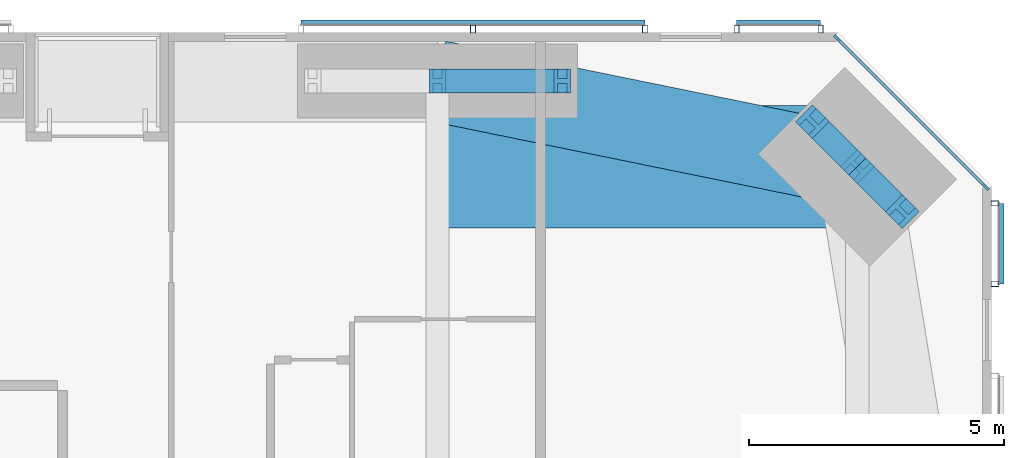
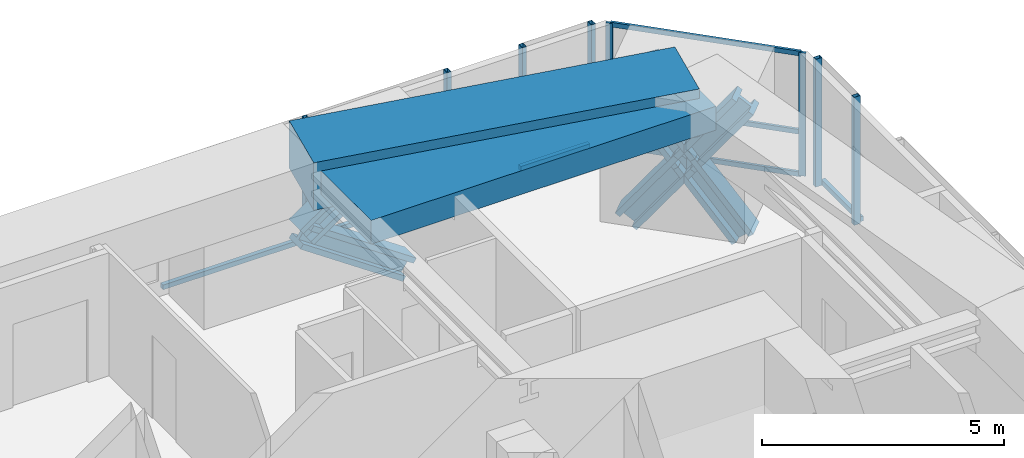
# One storey, part 14 of 23: 20 members, 2 beams, 4 elements without a shape of their own.
"""IFC4 building model written with IfcOpenShell, lengths in metres."""

from ifc_helpers import new_model, si_unit, direction, frame, origin, origin_2d, place, context, subcontext, project, spatial, rectangle, hollow_rectangle, i_section, extrude, material, material_profile, profile_set, type_object, element, aggregate, save


model = new_model("IFC4")

# Units and contexts
model_context = context("Model", 3, precision=1e-05, world=origin(), true_north=direction((0.0, 1.0)))
body_context = subcontext(model_context, "Body", "Model", "MODEL_VIEW")
ifc_project = project(units=[si_unit("LENGTHUNIT", "METRE"), si_unit("AREAUNIT", "SQUARE_METRE"), si_unit("VOLUMEUNIT", "CUBIC_METRE"), si_unit("PLANEANGLEUNIT", "RADIAN"), si_unit("MASSUNIT", "GRAM", prefix="KILO")], contexts=[model_context])

# Site, building, storey
site_placement = place(None, origin())
site = spatial("IfcSite", under=ifc_project, at=site_placement, CompositionType="ELEMENT")
building_placement = place(site_placement, origin())
building = spatial("IfcBuilding", under=site, at=building_placement, Name="Jalousie Tower", CompositionType="ELEMENT")
storey_placement = place(building_placement, frame((0.0, 0.0, 104.85009765625)))
storey = spatial("IfcBuildingStorey", under=building, at=storey_placement, Name="L28", CompositionType="ELEMENT", Elevation=104.85009765625)

# Curtain wall, members
ifc_material_1 = material(Name="Aluminium curtain wall", Category="aluminium")
curtain_wall_type_1 = type_object("IfcCurtainWallType", Name="CORNER WINDOW WALL", PredefinedType="USERDEFINED", material=ifc_material_1)
curtain_wall_1_placement = place(storey_placement, origin())
curtain_wall_1 = element("IfcCurtainWall", 1, at=curtain_wall_1_placement, inside=storey, type_object=curtain_wall_type_1, Name="Corner Window Wall L28 4", ObjectType="CORNER WINDOW WALL", PredefinedType="USERDEFINED")
ifc_material_2 = material(Name="Aluminium mullion", Category="aluminium")
ifc_material_profile_1 = material_profile(ifc_material_2, rectangle(XDim=0.06005859375, YDim=0.14990234375, at=origin_2d()), Name="MULLION 60x150")
ifc_profile_set_1 = profile_set([ifc_material_profile_1], Name="Aluminium mullion")
member_type_1 = type_object("IfcMemberType", Name="CORNER WINDOW WALL MULLION", PredefinedType="MULLION", material=ifc_profile_set_1)
member_1_placement = place(storey_placement, frame((49.391357421875, 34.969970703125, 0.0), z_axis=(0.0, 0.0, 1.0), x_axis=(-0.707106781187, -0.707106781187, 0.0)))
member_1 = element("IfcMember", 2, at=member_1_placement, type_object=member_type_1, Name="CW-C mullion 1", PredefinedType="MULLION", context=body_context, shape_type="SweptSolid", body=[
    extrude(rectangle(XDim=0.06005859375, YDim=0.14990234375, at=origin_2d()), origin(), (0.0, 0.0, 1.0), 3.10986328125),
])
member_2_placement = place(storey_placement, frame((46.469970703125, 37.891357421875, 0.0), z_axis=(0.0, 0.0, 1.0), x_axis=(-0.707106781187, -0.707106781187, 0.0)))
member_2 = element("IfcMember", 3, at=member_2_placement, type_object=member_type_1, Name="CW-C mullion 2", PredefinedType="MULLION", context=body_context, shape_type="SweptSolid", body=[
    extrude(rectangle(XDim=0.06005859375, YDim=0.14990234375, at=origin_2d()), origin(), (0.0, 0.0, 1.0), 3.10986328125),
])
ifc_material_3 = material(Name="Aluminium transom", Category="aluminium")
ifc_material_profile_2 = material_profile(ifc_material_3, rectangle(XDim=0.06005859375, YDim=0.1201171875, at=origin_2d()), Name="TRANSOM 60x120")
ifc_profile_set_2 = profile_set([ifc_material_profile_2], Name="Aluminium transom")
member_type_2 = type_object("IfcMemberType", Name="CORNER WINDOW WALL TRANSOM", PredefinedType="USERDEFINED", material=ifc_profile_set_2)
member_3_placement = place(storey_placement, frame((49.3701171875, 34.9912109375, 0.02978515625), z_axis=(-0.707106781187, 0.707106781187, 0.0), x_axis=(-0.707106781187, -0.707106781187, 0.0)))
member_3 = element("IfcMember", 4, at=member_3_placement, type_object=member_type_2, Name="CW-C transom 1.1", ObjectType="TRANSOM", PredefinedType="USERDEFINED", context=body_context, shape_type="SweptSolid", body=[
    extrude(rectangle(XDim=0.06005859375, YDim=0.1201171875, at=origin_2d()), origin(), (0.0, 0.0, 1.0), 4.0712890625),
])
member_4_placement = place(storey_placement, frame((49.3701171875, 34.9912109375, 1.099853515625), z_axis=(-0.707106781187, 0.707106781187, 0.0), x_axis=(-0.707106781187, -0.707106781187, 0.0)))
member_4 = element("IfcMember", 5, at=member_4_placement, type_object=member_type_2, Name="CW-C transom 1.2", ObjectType="TRANSOM", PredefinedType="USERDEFINED", context=body_context, shape_type="SweptSolid", body=[
    extrude(rectangle(XDim=0.06005859375, YDim=0.1201171875, at=origin_2d()), origin(), (0.0, 0.0, 1.0), 4.0712890625),
])
member_5_placement = place(storey_placement, frame((49.3701171875, 34.9912109375, 3.079833984375), z_axis=(-0.707106781187, 0.707106781187, 0.0), x_axis=(-0.707106781187, -0.707106781187, 0.0)))
member_5 = element("IfcMember", 6, at=member_5_placement, type_object=member_type_2, Name="CW-C transom 1.3", ObjectType="TRANSOM", PredefinedType="USERDEFINED", context=body_context, shape_type="SweptSolid", body=[
    extrude(rectangle(XDim=0.06005859375, YDim=0.1201171875, at=origin_2d()), origin(), (0.0, 0.0, 1.0), 4.0712890625),
])
aggregate(curtain_wall_1, [member_1, member_2, member_3, member_4, member_5])

# Members
ifc_material_4 = material(Name="Steel ASTM A992 Grade 50", Category="steel")
ifc_material_profile_3 = material_profile(ifc_material_4, i_section(OverallWidth=0.472412109375, OverallDepth=0.5791015625, WebThickness=0.094970703125, FlangeThickness=0.1298828125, at=origin_2d()), Name="W14X808")
ifc_profile_set_3 = profile_set([ifc_material_profile_3], Name="Steel ASTM A992 Grade 50")
member_type_3 = type_object("IfcMemberType", Name="PERIMETER BRACE W14X808", PredefinedType="BRACE", material=ifc_profile_set_3)
for number, where, z_axis, x_axis, name in (
    (7, (47.75244140625, 34.484619140625, -0.60009765625), (-0.422851718556, 0.422968528423, 0.801432497518), (-0.707204427637, -0.70700912125, 0.0), "Perimeter brace 08 L28 part 1"),
    (8, (46.86865234375, 35.36865234375, 1.074951171875), (-0.422968528423, 0.422851718556, 0.801432497518), (-0.70700912125, -0.707204427637, 0.0), "Perimeter brace 08 L28 part 2"),
    (9, (45.984619140625, 36.25244140625, -0.60009765625), (0.422968528423, -0.422851718556, 0.801432497518), (0.70700912125, 0.707204427637, 0.0), "Perimeter brace 08 L28 part 3"),
    (10, (46.86865234375, 35.36865234375, 1.074951171875), (0.422851718556, -0.422968528423, 0.801432497518), (0.707204427637, 0.70700912125, 0.0), "Perimeter brace 08 L28 part 4"),
):
    element("IfcMember", number, at=place(storey_placement, frame(where, z_axis=z_axis, x_axis=x_axis)), inside=storey, type_object=member_type_3, Name=name, PredefinedType="BRACE", context=body_context, shape_type="SweptSolid", body=[
        extrude(i_section(OverallWidth=0.472412109375, OverallDepth=0.5791015625, WebThickness=0.094970703125, FlangeThickness=0.1298828125, at=origin_2d()), origin(), (0.0, 0.0, 1.0), 2.090087890625),
    ])
for number, where, z_axis, x_axis, name in (
    (11, (38.625, 37.050048828125, 1.074951171875), (0.825500916831, 0.0, 0.564400776321), (0.0, 1.0, 0.0), "Perimeter brace 09 L28 part 2"),
    (12, (41.074951171875, 37.050048828125, -0.60009765625), (-0.825500916831, 0.0, 0.564400776321), (0.0, -1.0, 0.0), "Perimeter brace 09 L28 part 3"),
):
    element("IfcMember", number, at=place(storey_placement, frame(where, z_axis=z_axis, x_axis=x_axis)), inside=storey, type_object=member_type_3, Name=name, PredefinedType="BRACE", context=body_context, shape_type="SweptSolid", body=[
        extrude(i_section(OverallWidth=0.472412109375, OverallDepth=0.5791015625, WebThickness=0.094970703125, FlangeThickness=0.1298828125, at=origin_2d()), origin(), (0.0, 0.0, 1.0), 2.9677734375),
    ])

# Beams
ifc_material_5 = material(Name="Concrete f'c 40 MPa", Category="concrete")
ifc_material_profile_4 = material_profile(ifc_material_5, rectangle(XDim=1.60009765625, YDim=1.199951171875, at=origin_2d()), Name="RC 1600x1200")
ifc_profile_set_4 = profile_set([ifc_material_profile_4], Name="Concrete f'c 40 MPa")
beam_type_1 = type_object("IfcBeamType", Name="RC BEAM 1600x1200", PredefinedType="BEAM", material=ifc_profile_set_4)
beam_1_placement = place(storey_placement, frame((46.86865234375, 35.36865234375, 2.75), z_axis=(-0.97982690954, 0.199848010602, 0.0), x_axis=(-0.199848010602, -0.97982690954, 0.0)))
element("IfcBeam", 13, at=beam_1_placement, inside=storey, type_object=beam_type_1, Name="Edge band beam 08-09 under L29", PredefinedType="BEAM", context=body_context, shape_type="SweptSolid", body=[
    extrude(rectangle(XDim=1.60009765625, YDim=1.199951171875, at=origin_2d()), origin(), (0.0, 0.0, 1.0), 8.413330078125),
])
ifc_material_6 = material(Name="Concrete f'c 40 MPa", Category="concrete")
ifc_material_profile_5 = material_profile(ifc_material_6, rectangle(XDim=2.39990234375, YDim=0.60009765625, at=origin_2d()), Name="RC 2400x600")
ifc_profile_set_5 = profile_set([ifc_material_profile_5], Name="Concrete f'c 40 MPa")
beam_type_2 = type_object("IfcBeamType", Name="RC BEAM 2400x600", PredefinedType="BEAM", material=ifc_profile_set_5)
beam_2_placement = place(storey_placement, frame((46.86865234375, 35.36865234375, 2.809814453125), z_axis=(-1.0, 0.0, 0.0), x_axis=(0.0, -1.0, 0.0)))
element("IfcBeam", 14, at=beam_2_placement, inside=storey, type_object=beam_type_2, Name="Floor band beam under L29", PredefinedType="BEAM", context=body_context, shape_type="SweptSolid", body=[
    extrude(rectangle(XDim=2.39990234375, YDim=0.60009765625, at=origin_2d()), origin(), (0.0, 0.0, 1.0), 8.24365234375),
])

# Curtain wall, members
ifc_material_7 = material(Name="Perforated aluminium sheet", Category="aluminium")
curtain_wall_type_2 = type_object("IfcCurtainWallType", Name="SOLAR SCREEN SS-1", PredefinedType="USERDEFINED", material=ifc_material_7)
curtain_wall_2_placement = place(storey_placement, origin())
curtain_wall_2 = element("IfcCurtainWall", 15, at=curtain_wall_2_placement, inside=storey, type_object=curtain_wall_type_2, Name="Solar screen L28", ObjectType="SOLAR SCREEN SS-1", PredefinedType="USERDEFINED")
ifc_material_8 = material(Name="Steel ASTM A500 Grade C", Category="steel")
ifc_material_profile_6 = material_profile(ifc_material_8, hollow_rectangle(XDim=0.1015625, YDim=0.15234375, WallThickness=0.00634765625, at=origin_2d()), Name="HSS6X4X1/4")
ifc_profile_set_6 = profile_set([ifc_material_profile_6], Name="Steel ASTM A500 Grade C")
member_type_4 = type_object("IfcMemberType", Name="SOLAR SCREEN SS-1 MULLION", PredefinedType="MULLION", material=ifc_profile_set_6)
member_6_placement = place(storey_placement, frame((49.5712890625, 33.06201171875, -0.1201171875), z_axis=(0.0, 0.0, 1.0), x_axis=(0.0, 1.0, 0.0)))
member_6 = element("IfcMember", 16, at=member_6_placement, type_object=member_type_4, Name="SS1 post 1", PredefinedType="MULLION", context=body_context, shape_type="SweptSolid", body=[
    extrude(hollow_rectangle(XDim=0.1015625, YDim=0.15234375, WallThickness=0.00634765625, at=origin_2d()), origin(), (0.0, 0.0, 1.0), 3.22998046875),
])
member_7_placement = place(storey_placement, frame((49.5712890625, 34.648681640625, -0.1201171875), z_axis=(0.0, 0.0, 1.0), x_axis=(0.0, 1.0, 0.0)))
member_7 = element("IfcMember", 17, at=member_7_placement, type_object=member_type_4, Name="SS1 post 2", PredefinedType="MULLION", context=body_context, shape_type="SweptSolid", body=[
    extrude(hollow_rectangle(XDim=0.1015625, YDim=0.15234375, WallThickness=0.00634765625, at=origin_2d()), origin(), (0.0, 0.0, 1.0), 3.22998046875),
])

curtain_wall_3_placement = place(storey_placement, origin())
curtain_wall_3 = element("IfcCurtainWall", 18, at=curtain_wall_3_placement, inside=storey, type_object=curtain_wall_type_2, Name="Solar screen L28", ObjectType="SOLAR SCREEN SS-1", PredefinedType="USERDEFINED")
member_8_placement = place(storey_placement, frame((46.148681640625, 38.0712890625, -0.1201171875), z_axis=(0.0, 0.0, 1.0), x_axis=(-1.0, 0.0, 0.0)))
member_8 = element("IfcMember", 19, at=member_8_placement, type_object=member_type_4, Name="SS1 post 1", PredefinedType="MULLION", context=body_context, shape_type="SweptSolid", body=[
    extrude(hollow_rectangle(XDim=0.1015625, YDim=0.15234375, WallThickness=0.00634765625, at=origin_2d()), origin(), (0.0, 0.0, 1.0), 3.22998046875),
])
member_9_placement = place(storey_placement, frame((44.499267578125, 38.0712890625, -0.1201171875), z_axis=(0.0, 0.0, 1.0), x_axis=(-1.0, 0.0, 0.0)))
member_9 = element("IfcMember", 20, at=member_9_placement, type_object=member_type_4, Name="SS1 post 2", PredefinedType="MULLION", context=body_context, shape_type="SweptSolid", body=[
    extrude(hollow_rectangle(XDim=0.1015625, YDim=0.15234375, WallThickness=0.00634765625, at=origin_2d()), origin(), (0.0, 0.0, 1.0), 3.22998046875),
])

curtain_wall_4_placement = place(storey_placement, origin())
curtain_wall_4 = element("IfcCurtainWall", 21, at=curtain_wall_4_placement, inside=storey, type_object=curtain_wall_type_2, Name="Solar screen L28", ObjectType="SOLAR SCREEN SS-1", PredefinedType="USERDEFINED")
member_10_placement = place(storey_placement, frame((42.69921875, 38.0712890625, -0.1201171875), z_axis=(0.0, 0.0, 1.0), x_axis=(-1.0, 0.0, 0.0)))
member_10 = element("IfcMember", 22, at=member_10_placement, type_object=member_type_4, Name="SS1 post 1", PredefinedType="MULLION", context=body_context, shape_type="SweptSolid", body=[
    extrude(hollow_rectangle(XDim=0.1015625, YDim=0.15234375, WallThickness=0.00634765625, at=origin_2d()), origin(), (0.0, 0.0, 1.0), 3.22998046875),
])
member_11_placement = place(storey_placement, frame((39.324951171875, 38.0712890625, -0.1201171875), z_axis=(0.0, 0.0, 1.0), x_axis=(-1.0, 0.0, 0.0)))
member_11 = element("IfcMember", 23, at=member_11_placement, type_object=member_type_4, Name="SS1 post 2", PredefinedType="MULLION", context=body_context, shape_type="SweptSolid", body=[
    extrude(hollow_rectangle(XDim=0.1015625, YDim=0.15234375, WallThickness=0.00634765625, at=origin_2d()), origin(), (0.0, 0.0, 1.0), 3.22998046875),
])

# Member
ifc_material_9 = material(Name="Extruded aluminium screen rail", Category="aluminium")
ifc_material_profile_7 = material_profile(ifc_material_9, rectangle(XDim=0.1015625, YDim=0.1201171875, at=origin_2d()), Name="RAIL 102x120")
ifc_profile_set_7 = profile_set([ifc_material_profile_7], Name="Extruded aluminium screen rail")
member_type_5 = type_object("IfcMemberType", Name="SOLAR SCREEN SS-1 TRANSOM", PredefinedType="USERDEFINED", material=ifc_profile_set_7)
member_12_placement = place(storey_placement, frame((49.6982421875, 33.06201171875, -0.06005859375), z_axis=(0.0, 1.0, 0.0), x_axis=(-1.0, 0.0, 0.0)))
member_12 = element("IfcMember", 24, at=member_12_placement, type_object=member_type_5, Name="SS1 rail", ObjectType="TRANSOM", PredefinedType="USERDEFINED", context=body_context, shape_type="SweptSolid", body=[
    extrude(rectangle(XDim=0.1015625, YDim=0.1201171875, at=origin_2d()), origin(), (0.0, 0.0, 1.0), 1.586669921875),
])

aggregate(curtain_wall_2, [member_6, member_7, member_12])

member_13_placement = place(storey_placement, frame((46.148681640625, 38.1982421875, -0.06005859375), z_axis=(-1.0, 0.0, 0.0), x_axis=(0.0, -1.0, 0.0)))
member_13 = element("IfcMember", 25, at=member_13_placement, type_object=member_type_5, Name="SS1 rail", ObjectType="TRANSOM", PredefinedType="USERDEFINED", context=body_context, shape_type="SweptSolid", body=[
    extrude(rectangle(XDim=0.1015625, YDim=0.1201171875, at=origin_2d()), origin(), (0.0, 0.0, 1.0), 1.6494140625),
])

aggregate(curtain_wall_3, [member_8, member_9, member_13])

member_14_placement = place(storey_placement, frame((42.69921875, 38.1982421875, -0.06005859375), z_axis=(-1.0, 0.0, 0.0), x_axis=(0.0, -1.0, 0.0)))
member_14 = element("IfcMember", 26, at=member_14_placement, type_object=member_type_5, Name="SS1 rail", ObjectType="TRANSOM", PredefinedType="USERDEFINED", context=body_context, shape_type="SweptSolid", body=[
    extrude(rectangle(XDim=0.1015625, YDim=0.1201171875, at=origin_2d()), origin(), (0.0, 0.0, 1.0), 6.748779296875),
])

aggregate(curtain_wall_4, [member_10, member_11, member_14])

save(model, "model.ifc")
